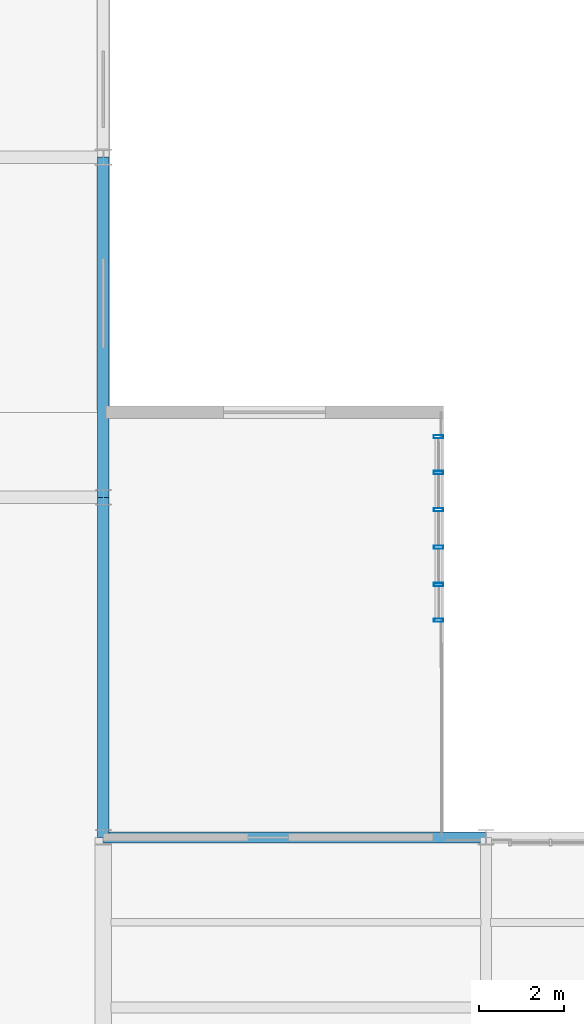
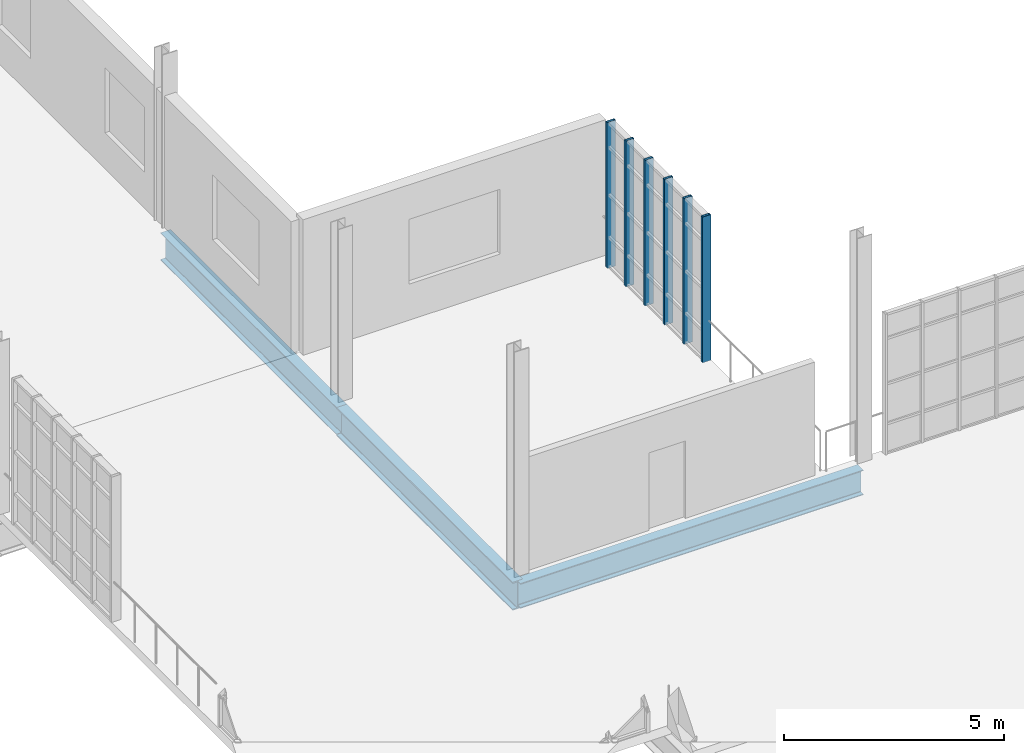
# One storey, part 57 of 118: 6 members, 3 beams, 1 element without a shape of its own.
"""IFC4 building model written with IfcOpenShell, lengths in metres."""

from ifc_helpers import new_model, si_unit, direction, frame, origin, origin_2d, place, context, subcontext, project, spatial, hollow_rectangle, i_section, extrude, material, layer, layer_set, material_profile, profile_set, type_object, element, aggregate, save


model = new_model("IFC4")

# Units and contexts
model_context = context("Model", 3, precision=1e-05, world=origin(), true_north=direction((0.0, 1.0)))
body_context = subcontext(model_context, "Body", "Model", "MODEL_VIEW")
ifc_project = project(units=[si_unit("LENGTHUNIT", "METRE"), si_unit("AREAUNIT", "SQUARE_METRE"), si_unit("VOLUMEUNIT", "CUBIC_METRE"), si_unit("PLANEANGLEUNIT", "RADIAN"), si_unit("MASSUNIT", "GRAM", prefix="KILO"), si_unit("THERMODYNAMICTEMPERATUREUNIT", "KELVIN"), si_unit("POWERUNIT", "WATT")], contexts=[model_context])

# Site, building, storey
site_placement = place(None, origin())
site = spatial("IfcSite", under=ifc_project, at=site_placement, CompositionType="ELEMENT")
building_placement = place(site_placement, origin())
building = spatial("IfcBuilding", under=site, at=building_placement, Name="Zelmaris Science Centre", CompositionType="ELEMENT")
storey_placement = place(building_placement, frame((0.0, 0.0, 15.60009765625)))
storey = spatial("IfcBuildingStorey", under=building, at=storey_placement, Name="L03", CompositionType="ELEMENT", Elevation=15.60009765625)

# Curtain wall, members
ifc_material_1 = material(Name="Anodised architectural aluminium 6063-T6", Category="aluminium")
ifc_layer = layer(ifc_material_1, 0.199951171875, Name="Anodised architectural aluminium 6063-T6")
ifc_layer_set = layer_set([ifc_layer], Name="Anodised architectural aluminium 6063-T6")
curtain_wall_type = type_object("IfcCurtainWallType", Name="Curtain Wall CW-02", PredefinedType="USERDEFINED", material=ifc_layer_set)
curtain_wall_placement = place(storey_placement, origin())
curtain_wall = element("IfcCurtainWall", 1, at=curtain_wall_placement, inside=storey, type_object=curtain_wall_type, Name="L03 Unitised curtain wall 290", ObjectType="GLAZED CURTAIN WALL", PredefinedType="USERDEFINED")
ifc_material_profile_1 = material_profile(ifc_material_1, hollow_rectangle(XDim=0.074951171875, YDim=0.219970703125, WallThickness=0.0048828125, at=origin_2d()), Name="ALU-MUL-75X220")
ifc_profile_set_1 = profile_set([ifc_material_profile_1], Name="Anodised architectural aluminium 6063-T6")
member_type = type_object("IfcMemberType", Name="ALU-MUL-75X220", PredefinedType="MULLION", material=ifc_profile_set_1)
member_1_placement = place(storey_placement, frame((115.880859375, 65.42626953125, -0.01513671875), z_axis=(0.0, 0.0, 1.0), x_axis=(0.001371828362, -0.999999059043, 0.0)))
member_1 = element("IfcMember", 2, at=member_1_placement, type_object=member_type, Name="CW-02 mullion 1", PredefinedType="MULLION", context=body_context, shape_type="SweptSolid", body=[
    extrude(hollow_rectangle(XDim=0.074951171875, YDim=0.219970703125, WallThickness=0.0048828125, at=origin_2d()), origin(), (0.0, 0.0, 1.0), 4.044921875),
])
member_2_placement = place(storey_placement, frame((115.8818359375, 64.581787109375, -0.01513671875), z_axis=(0.0, 0.0, 1.0), x_axis=(0.001371828362, -0.999999059043, 0.0)))
member_2 = element("IfcMember", 3, at=member_2_placement, type_object=member_type, Name="CW-02 mullion 2", PredefinedType="MULLION", context=body_context, shape_type="SweptSolid", body=[
    extrude(hollow_rectangle(XDim=0.074951171875, YDim=0.219970703125, WallThickness=0.0048828125, at=origin_2d()), origin(), (0.0, 0.0, 1.0), 4.044921875),
])
member_3_placement = place(storey_placement, frame((115.883056640625, 63.7041015625, -0.01513671875), z_axis=(0.0, 0.0, 1.0), x_axis=(0.001371828362, -0.999999059043, 0.0)))
member_3 = element("IfcMember", 4, at=member_3_placement, type_object=member_type, Name="CW-02 mullion 3", PredefinedType="MULLION", context=body_context, shape_type="SweptSolid", body=[
    extrude(hollow_rectangle(XDim=0.074951171875, YDim=0.219970703125, WallThickness=0.0048828125, at=origin_2d()), origin(), (0.0, 0.0, 1.0), 4.044921875),
])
member_4_placement = place(storey_placement, frame((115.88427734375, 62.826416015625, -0.01513671875), z_axis=(0.0, 0.0, 1.0), x_axis=(0.001371828362, -0.999999059043, 0.0)))
member_4 = element("IfcMember", 5, at=member_4_placement, type_object=member_type, Name="CW-02 mullion 4", PredefinedType="MULLION", context=body_context, shape_type="SweptSolid", body=[
    extrude(hollow_rectangle(XDim=0.074951171875, YDim=0.219970703125, WallThickness=0.0048828125, at=origin_2d()), origin(), (0.0, 0.0, 1.0), 4.044921875),
])
member_5_placement = place(storey_placement, frame((115.885498046875, 61.948486328125, -0.01513671875), z_axis=(0.0, 0.0, 1.0), x_axis=(0.001371828362, -0.999999059043, 0.0)))
member_5 = element("IfcMember", 6, at=member_5_placement, type_object=member_type, Name="CW-02 mullion 5", PredefinedType="MULLION", context=body_context, shape_type="SweptSolid", body=[
    extrude(hollow_rectangle(XDim=0.074951171875, YDim=0.219970703125, WallThickness=0.0048828125, at=origin_2d()), origin(), (0.0, 0.0, 1.0), 4.044921875),
])
member_6_placement = place(storey_placement, frame((115.88671875, 61.104248046875, -0.01513671875), z_axis=(0.0, 0.0, 1.0), x_axis=(0.001371828362, -0.999999059043, 0.0)))
member_6 = element("IfcMember", 7, at=member_6_placement, type_object=member_type, Name="CW-02 mullion 6", PredefinedType="MULLION", context=body_context, shape_type="SweptSolid", body=[
    extrude(hollow_rectangle(XDim=0.074951171875, YDim=0.219970703125, WallThickness=0.0048828125, at=origin_2d()), origin(), (0.0, 0.0, 1.0), 4.044921875),
])
aggregate(curtain_wall, [member_1, member_2, member_3, member_4, member_5, member_6])

# Beams
ifc_material_2 = material(Name="Steel ASTM A992 Grade 50", Category="steel")
ifc_material_profile_2 = material_profile(ifc_material_2, i_section(OverallWidth=0.257080078125, OverallDepth=0.693115234375, WebThickness=0.014404296875, FlangeThickness=0.023681640625, FilletRadius=0.01806640625, at=origin_2d()), Name="W27X114")
ifc_profile_set_2 = profile_set([ifc_material_profile_2], Name="Steel ASTM A992 Grade 50")
beam_type_1 = type_object("IfcBeamType", Name="Beam G-12 W27X114", PredefinedType="BEAM", material=ifc_profile_set_2)
beam_1_placement = place(storey_placement, frame((108.0, 56.0, -0.606689453125), z_axis=(1.0, 0.0, 0.0), x_axis=(0.0, 1.0, 0.0)))
element("IfcBeam", 8, at=beam_1_placement, inside=storey, type_object=beam_type_1, Name="L03 East-west girder 750", PredefinedType="BEAM", context=body_context, shape_type="SweptSolid", body=[
    extrude(i_section(OverallWidth=0.257080078125, OverallDepth=0.693115234375, WebThickness=0.014404296875, FlangeThickness=0.023681640625, FilletRadius=0.01806640625, at=origin_2d()), origin(), (0.0, 0.0, 1.0), 9.0),
])
ifc_material_profile_3 = material_profile(ifc_material_2, i_section(OverallWidth=0.26708984375, OverallDepth=0.780029296875, WebThickness=0.0166015625, FlangeThickness=0.030029296875, FilletRadius=0.01904296875, at=origin_2d()), Name="W30X148")
ifc_profile_set_3 = profile_set([ifc_material_profile_3], Name="Steel ASTM A992 Grade 50")
beam_type_2 = type_object("IfcBeamType", Name="Beam G-32 W30X148", PredefinedType="BEAM", material=ifc_profile_set_3)
beam_2_placement = place(storey_placement, frame((108.0, 56.0, -0.650146484375), z_axis=(0.0, 1.0, 0.0), x_axis=(-1.0, 0.0, 0.0)))
element("IfcBeam", 9, at=beam_2_placement, inside=storey, type_object=beam_type_2, Name="L03 North-south girder 703", PredefinedType="BEAM", context=body_context, shape_type="SweptSolid", body=[
    extrude(i_section(OverallWidth=0.26708984375, OverallDepth=0.780029296875, WebThickness=0.0166015625, FlangeThickness=0.030029296875, FilletRadius=0.01904296875, at=origin_2d()), origin(), (0.0, 0.0, 1.0), 8.0),
])
ifc_material_profile_4 = material_profile(ifc_material_2, i_section(OverallWidth=0.26708984375, OverallDepth=0.761962890625, WebThickness=0.014404296875, FlangeThickness=0.021484375, FilletRadius=0.01904296875, at=origin_2d()), Name="W30X116")
ifc_profile_set_4 = profile_set([ifc_material_profile_4], Name="Steel ASTM A992 Grade 50")
beam_type_3 = type_object("IfcBeamType", Name="Beam G-33 W30X116", PredefinedType="BEAM", material=ifc_profile_set_4)
beam_3_placement = place(storey_placement, frame((108.0, 64.0, -0.64111328125), z_axis=(0.0, 1.0, 0.0), x_axis=(-1.0, 0.0, 0.0)))
element("IfcBeam", 10, at=beam_3_placement, inside=storey, type_object=beam_type_3, Name="L03 North-south girder 704", PredefinedType="BEAM", context=body_context, shape_type="SweptSolid", body=[
    extrude(i_section(OverallWidth=0.26708984375, OverallDepth=0.761962890625, WebThickness=0.014404296875, FlangeThickness=0.021484375, FilletRadius=0.01904296875, at=origin_2d()), origin(), (0.0, 0.0, 1.0), 8.0),
])

save(model, "model.ifc")
